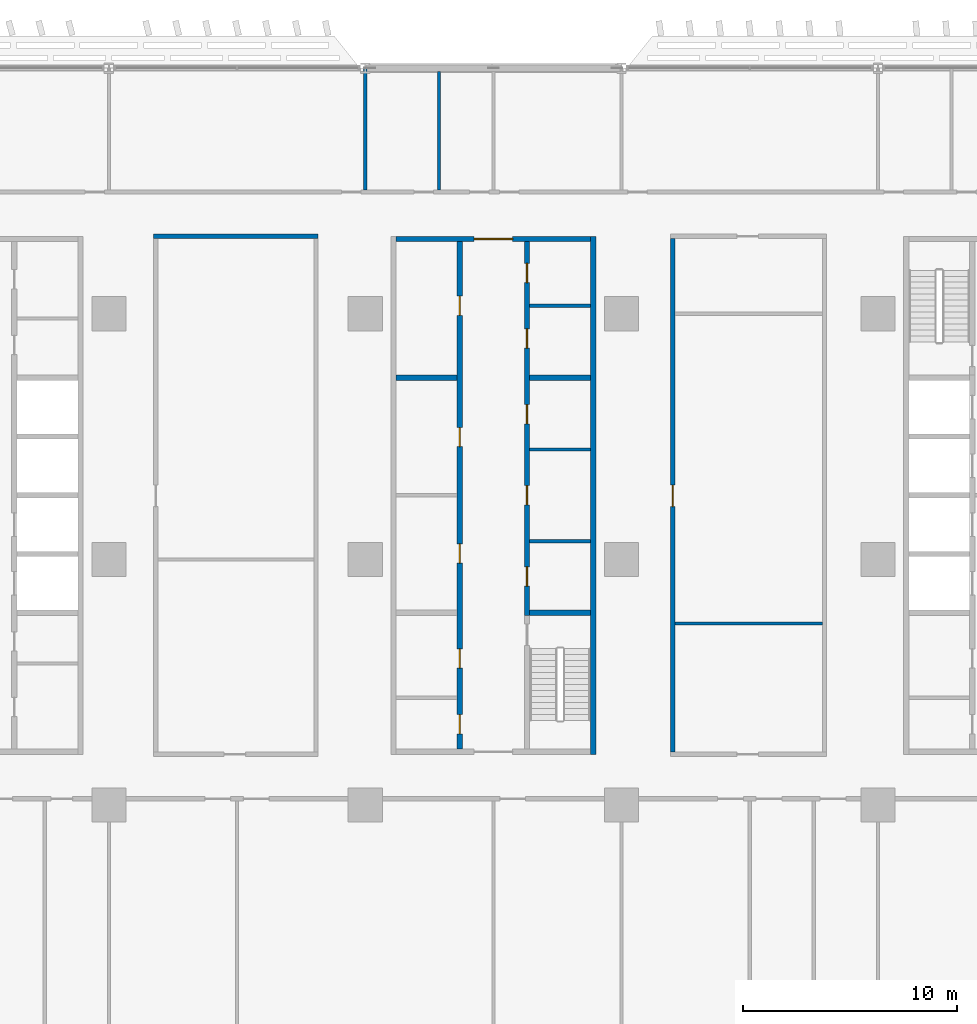
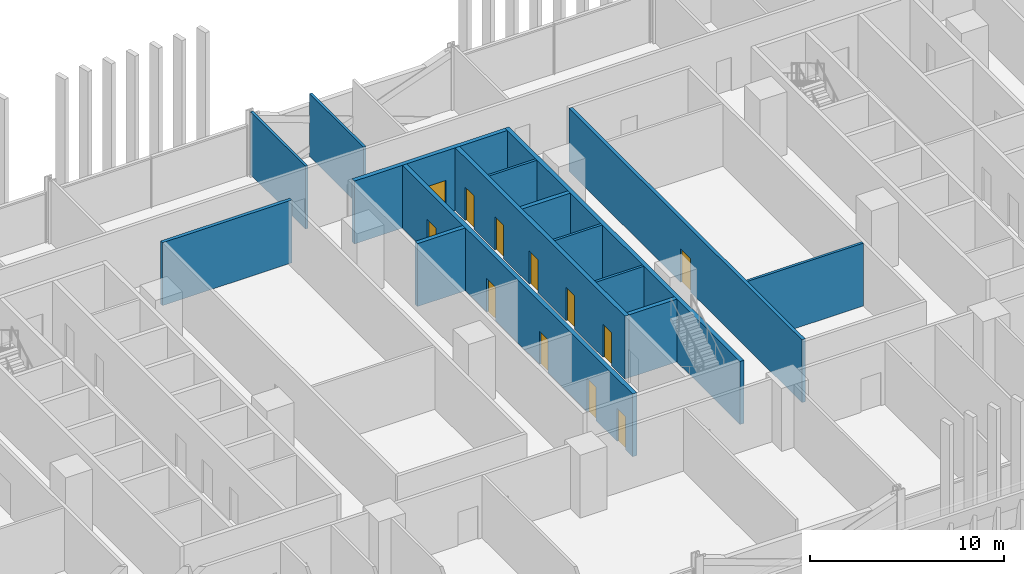
# One storey, part 12 of 31: 15 walls, 12 doors, 12 openings.
"""IFC4 building model written with IfcOpenShell, lengths in metres."""

from ifc_helpers import new_model, si_unit, direction, frame, frame_2d, origin, place, context, subcontext, project, spatial, rectangle, extrude, material, layer, layer_set, type_object, element, fill, save


model = new_model("IFC4")

# Units and contexts
model_context = context("Model", 3, precision=1e-05, world=origin(), true_north=direction((0.0, 1.0)))
body_context = subcontext(model_context, "Body", "Model", "MODEL_VIEW")
ifc_project = project(units=[si_unit("LENGTHUNIT", "METRE"), si_unit("AREAUNIT", "SQUARE_METRE"), si_unit("VOLUMEUNIT", "CUBIC_METRE"), si_unit("PLANEANGLEUNIT", "RADIAN"), si_unit("MASSUNIT", "GRAM", prefix="KILO")], contexts=[model_context])

# Site, building, storey
site_placement = place(None, origin())
site = spatial("IfcSite", under=ifc_project, at=site_placement, CompositionType="ELEMENT")
building_placement = place(site_placement, origin())
building = spatial("IfcBuilding", under=site, at=building_placement, Name="Mahtab Terrace Research Tower", CompositionType="ELEMENT")
storey_placement = place(building_placement, frame((0.0, 0.0, 11.5)))
storey = spatial("IfcBuildingStorey", under=building, at=storey_placement, Name="L02", CompositionType="ELEMENT", Elevation=11.5)

# Walls
ifc_material_1 = material(Name="Gypsum board partition")
ifc_layer_1 = layer(ifc_material_1, 0.14990234375)
ifc_layer_set_1 = layer_set([ifc_layer_1], Name="Core partition 150")
wall_type_1 = type_object("IfcWallType", Name="Core partition 150", PredefinedType="PARTITIONING", material=ifc_layer_set_1)
for number, where, z_axis, x_axis, name in (
    (1, (1.699951171875, 0.85009765625, 0.0), (0.0, 0.0, 1.0), (1.0, 0.0, 0.0), "Core wall B pEL-215"),
    (2, (1.699951171875, 5.14990234375, 0.0), (0.0, 0.0, 1.0), (1.0, 0.0, 0.0), "Core wall B pEL215"),
    (3, (1.699951171875, 11.875, 0.0), (0.0, 0.0, 1.0), (1.0, 0.0, 0.0), "Core wall B pEN888"),
):
    element("IfcWall", number, at=place(storey_placement, frame(where, z_axis=z_axis, x_axis=x_axis)), inside=storey, type_object=wall_type_1, Name=name, PredefinedType="PARTITIONING", context=body_context, shape_type="SweptSolid", body=[
        extrude(rectangle(XDim=2.85009765625, YDim=0.14990234375, at=frame_2d((1.425048828125, 0.0))), origin(), (0.0, 0.0, 1.0), 3.9599609375),
    ])
ifc_material_2 = material(Name="Concrete C70/85", Category="concrete")
ifc_layer_2 = layer(ifc_material_2, 0.25)
ifc_layer_set_2 = layer_set([ifc_layer_2], Name="Core wall 250")
wall_type_2 = type_object("IfcWallType", Name="Core wall 250", PredefinedType="SOLIDWALL", material=ifc_layer_set_2)
wall_1_placement = place(storey_placement, frame((4.675048828125, -9.125, 0.0), z_axis=(0.0, 0.0, 1.0), x_axis=(0.0, 1.0, 0.0)))
element("IfcWall", 4, at=wall_1_placement, inside=storey, type_object=wall_type_2, Name="Core wall B outerE", PredefinedType="SOLIDWALL", context=body_context, shape_type="SweptSolid", body=[
    extrude(rectangle(XDim=24.25, YDim=0.25, at=frame_2d((12.125, 0.0))), origin(), (0.0, 0.0, 1.0), 3.9599609375),
])

# Wall, opening, door
wall_2_placement = place(storey_placement, frame((-4.550048828125, 15.0, 0.0), z_axis=(0.0, 0.0, 1.0), x_axis=(1.0, 0.0, 0.0)))
wall_2 = element("IfcWall", 5, at=wall_2_placement, inside=storey, type_object=wall_type_2, Name="Core wall B endN", PredefinedType="SOLIDWALL", context=body_context, shape_type="SweptSolid", body=[
    extrude(rectangle(XDim=9.10009765625, YDim=0.25, at=frame_2d((4.550048828125, 0.0))), origin(), (0.0, 0.0, 1.0), 3.9599609375),
])
opening_1_placement = place(wall_2_placement, frame((3.64990234375, 0.0, 0.0)))
opening_1 = element("IfcOpeningElement", 6, at=opening_1_placement, cuts=wall_2, Name="Opening B-N1", PredefinedType="OPENING", context=body_context, shape_type="SweptSolid", body=[
    extrude(rectangle(XDim=1.800048828125, YDim=2.10009765625, at=frame_2d((0.89990234375, 1.050048828125))), frame((0.0, 0.135009765625, 0.0), z_axis=(0.0, -1.0, 0.0), x_axis=(1.0, 0.0, 0.0)), (0.0, 0.0, 1.0), 0.27001953125),
])
ifc_material_3 = material(Name="Steel fire door", Category="steel")
door_type_1 = type_object("IfcDoorType", Name="Lobby double door 1800x2100 1 HR", OperationType="DOUBLE_DOOR_SINGLE_SWING", PredefinedType="DOOR", material=ifc_material_3)
door_1_placement = place(opening_1_placement, origin())
door_1 = element("IfcDoor", 7, at=door_1_placement, inside=storey, type_object=door_type_1, Name="Core entrance door B N", OperationType="DOUBLE_DOOR_SINGLE_SWING", OverallHeight=2.10009765625, OverallWidth=1.800048828125, PredefinedType="DOOR", context=body_context, shape_type="SweptSolid", body=[
    extrude(rectangle(XDim=1.800048828125, YDim=2.10009765625, at=frame_2d((0.89990234375, 1.050048828125))), frame((0.0, 0.02490234375, 0.0), z_axis=(0.0, -1.0, 0.0), x_axis=(1.0, 0.0, 0.0)), (0.0, 0.0, 1.0), 0.050048828125),
])
fill(opening_1, door_1)

# Wall, openings, doors
wall_3_placement = place(storey_placement, frame((-1.574951171875, -8.875, 0.0), z_axis=(0.0, 0.0, 1.0), x_axis=(0.0, 1.0, 0.0)))
wall_3 = element("IfcWall", 8, at=wall_3_placement, inside=storey, type_object=wall_type_2, Name="Core wall B innerWSLN", PredefinedType="SOLIDWALL", context=body_context, shape_type="SweptSolid", body=[
    extrude(rectangle(XDim=23.75, YDim=0.25, at=frame_2d((11.875, 0.0))), origin(), (0.0, 0.0, 1.0), 3.9599609375),
])
opening_2_placement = place(wall_3_placement, frame((8.699951171875, 0.0, 0.0)))
opening_2 = element("IfcOpeningElement", 9, at=opening_2_placement, cuts=wall_3, Name="Opening B-R1", PredefinedType="OPENING", context=body_context, shape_type="SweptSolid", body=[
    extrude(rectangle(XDim=0.89990234375, YDim=2.10009765625, at=frame_2d((0.449951171875, 1.050048828125))), frame((0.0, 0.135009765625, 0.0), z_axis=(0.0, -1.0, 0.0), x_axis=(1.0, 0.0, 0.0)), (0.0, 0.0, 1.0), 0.27001953125),
])
opening_3_placement = place(wall_3_placement, frame((14.14990234375, 0.0, 0.0)))
opening_3 = element("IfcOpeningElement", 10, at=opening_3_placement, cuts=wall_3, Name="Opening B-R2", PredefinedType="OPENING", context=body_context, shape_type="SweptSolid", body=[
    extrude(rectangle(XDim=0.89990234375, YDim=2.10009765625, at=frame_2d((0.449951171875, 1.050048828125))), frame((0.0, 0.135009765625, 0.0), z_axis=(0.0, -1.0, 0.0), x_axis=(1.0, 0.0, 0.0)), (0.0, 0.0, 1.0), 0.27001953125),
])
opening_4_placement = place(wall_3_placement, frame((0.71240234375, 0.0, 0.0)))
opening_4 = element("IfcOpeningElement", 11, at=opening_4_placement, cuts=wall_3, Name="Opening B-R6", PredefinedType="OPENING", context=body_context, shape_type="SweptSolid", body=[
    extrude(rectangle(XDim=0.89990234375, YDim=2.10009765625, at=frame_2d((0.449951171875, 1.050048828125))), frame((0.0, 0.135009765625, 0.0), z_axis=(0.0, -1.0, 0.0), x_axis=(1.0, 0.0, 0.0)), (0.0, 0.0, 1.0), 0.27001953125),
])
opening_5_placement = place(wall_3_placement, frame((3.78759765625, 0.0, 0.0)))
opening_5 = element("IfcOpeningElement", 12, at=opening_5_placement, cuts=wall_3, Name="Opening B-R7", PredefinedType="OPENING", context=body_context, shape_type="SweptSolid", body=[
    extrude(rectangle(XDim=0.89990234375, YDim=2.10009765625, at=frame_2d((0.449951171875, 1.050048828125))), frame((0.0, 0.135009765625, 0.0), z_axis=(0.0, -1.0, 0.0), x_axis=(1.0, 0.0, 0.0)), (0.0, 0.0, 1.0), 0.27001953125),
])
opening_6_placement = place(wall_3_placement, frame((20.300048828125, 0.0, 0.0)))
opening_6 = element("IfcOpeningElement", 13, at=opening_6_placement, cuts=wall_3, Name="Opening B-R8", PredefinedType="OPENING", context=body_context, shape_type="SweptSolid", body=[
    extrude(rectangle(XDim=0.89990234375, YDim=2.10009765625, at=frame_2d((0.449951171875, 1.050048828125))), frame((0.0, 0.135009765625, 0.0), z_axis=(0.0, -1.0, 0.0), x_axis=(1.0, 0.0, 0.0)), (0.0, 0.0, 1.0), 0.27001953125),
])
door_type_2 = type_object("IfcDoorType", Name="Room door 900x2100 1 HR", OperationType="NOTDEFINED", PredefinedType="DOOR", material=ifc_material_3)
door_2_placement = place(opening_2_placement, origin())
door_2 = element("IfcDoor", 14, at=door_2_placement, inside=storey, type_object=door_type_2, Name="Document store door", OperationType="SINGLE_SWING_LEFT", OverallHeight=2.10009765625, OverallWidth=0.89990234375, PredefinedType="DOOR", context=body_context, shape_type="SweptSolid", body=[
    extrude(rectangle(XDim=0.89990234375, YDim=2.10009765625, at=frame_2d((0.449951171875, 1.050048828125))), frame((0.0, 0.02490234375, 0.0), z_axis=(0.0, -1.0, 0.0), x_axis=(1.0, 0.0, 0.0)), (0.0, 0.0, 1.0), 0.050048828125),
])
fill(opening_2, door_2)
door_3_placement = place(opening_3_placement, origin())
door_3 = element("IfcDoor", 15, at=door_3_placement, inside=storey, type_object=door_type_2, Name="IT equipment room door", OperationType="SINGLE_SWING_RIGHT", OverallHeight=2.10009765625, OverallWidth=0.89990234375, PredefinedType="DOOR", context=body_context, shape_type="SweptSolid", body=[
    extrude(rectangle(XDim=0.89990234375, YDim=2.10009765625, at=frame_2d((0.449951171875, 1.050048828125))), frame((0.0, 0.02490234375, 0.0), z_axis=(0.0, -1.0, 0.0), x_axis=(1.0, 0.0, 0.0)), (0.0, 0.0, 1.0), 0.050048828125),
])
fill(opening_3, door_3)
door_4_placement = place(opening_4_placement, origin())
door_4 = element("IfcDoor", 16, at=door_4_placement, inside=storey, type_object=door_type_2, Name="Mechanical riser room door", OperationType="SINGLE_SWING_RIGHT", OverallHeight=2.10009765625, OverallWidth=0.89990234375, PredefinedType="DOOR", context=body_context, shape_type="SweptSolid", body=[
    extrude(rectangle(XDim=0.89990234375, YDim=2.10009765625, at=frame_2d((0.449951171875, 1.050048828125))), frame((0.0, 0.02490234375, 0.0), z_axis=(0.0, -1.0, 0.0), x_axis=(1.0, 0.0, 0.0)), (0.0, 0.0, 1.0), 0.050048828125),
])
fill(opening_4, door_4)
door_5_placement = place(opening_5_placement, origin())
door_5 = element("IfcDoor", 17, at=door_5_placement, inside=storey, type_object=door_type_2, Name="Chemical store door", OperationType="SINGLE_SWING_LEFT", OverallHeight=2.10009765625, OverallWidth=0.89990234375, PredefinedType="DOOR", context=body_context, shape_type="SweptSolid", body=[
    extrude(rectangle(XDim=0.89990234375, YDim=2.10009765625, at=frame_2d((0.449951171875, 1.050048828125))), frame((0.0, 0.02490234375, 0.0), z_axis=(0.0, -1.0, 0.0), x_axis=(1.0, 0.0, 0.0)), (0.0, 0.0, 1.0), 0.050048828125),
])
fill(opening_5, door_5)
door_6_placement = place(opening_6_placement, origin())
door_6 = element("IfcDoor", 18, at=door_6_placement, inside=storey, type_object=door_type_2, Name="Gas cylinder store door", OperationType="SINGLE_SWING_RIGHT", OverallHeight=2.10009765625, OverallWidth=0.89990234375, PredefinedType="DOOR", context=body_context, shape_type="SweptSolid", body=[
    extrude(rectangle(XDim=0.89990234375, YDim=2.10009765625, at=frame_2d((0.449951171875, 1.050048828125))), frame((0.0, 0.02490234375, 0.0), z_axis=(0.0, -1.0, 0.0), x_axis=(1.0, 0.0, 0.0)), (0.0, 0.0, 1.0), 0.050048828125),
])
fill(opening_6, door_6)

wall_4_placement = place(storey_placement, frame((1.574951171875, 14.875, 0.0), z_axis=(0.0, 0.0, 1.0), x_axis=(0.0, -1.0, 0.0)))
wall_4 = element("IfcWall", 19, at=wall_4_placement, inside=storey, type_object=wall_type_2, Name="Core wall B innerELN", PredefinedType="SOLIDWALL", context=body_context, shape_type="SweptSolid", body=[
    extrude(rectangle(XDim=17.5, YDim=0.25, at=frame_2d((8.75, 0.0))), origin(), (0.0, 0.0, 1.0), 3.9599609375),
])
opening_7_placement = place(wall_4_placement, frame((15.22509765625, 0.0, 0.0)))
opening_7 = element("IfcOpeningElement", 20, at=opening_7_placement, cuts=wall_4, Name="Opening B-R3", PredefinedType="OPENING", context=body_context, shape_type="SweptSolid", body=[
    extrude(rectangle(XDim=0.89990234375, YDim=2.10009765625, at=frame_2d((0.449951171875, 1.050048828125))), frame((0.0, 0.135009765625, 0.0), z_axis=(0.0, -1.0, 0.0), x_axis=(1.0, 0.0, 0.0)), (0.0, 0.0, 1.0), 0.27001953125),
])
opening_8_placement = place(wall_4_placement, frame((11.425048828125, 0.0, 0.0)))
opening_8 = element("IfcOpeningElement", 21, at=opening_8_placement, cuts=wall_4, Name="Opening B-R4", PredefinedType="OPENING", context=body_context, shape_type="SweptSolid", body=[
    extrude(rectangle(XDim=0.89990234375, YDim=2.10009765625, at=frame_2d((0.449951171875, 1.050048828125))), frame((0.0, 0.135009765625, 0.0), z_axis=(0.0, -1.0, 0.0), x_axis=(1.0, 0.0, 0.0)), (0.0, 0.0, 1.0), 0.27001953125),
])
opening_9_placement = place(wall_4_placement, frame((7.625, 0.0, 0.0)))
opening_9 = element("IfcOpeningElement", 22, at=opening_9_placement, cuts=wall_4, Name="Opening B-R5", PredefinedType="OPENING", context=body_context, shape_type="SweptSolid", body=[
    extrude(rectangle(XDim=0.89990234375, YDim=2.10009765625, at=frame_2d((0.449951171875, 1.050048828125))), frame((0.0, 0.135009765625, 0.0), z_axis=(0.0, -1.0, 0.0), x_axis=(1.0, 0.0, 0.0)), (0.0, 0.0, 1.0), 0.27001953125),
])
opening_10_placement = place(wall_4_placement, frame((4.08740234375, 0.0, 0.0)))
opening_10 = element("IfcOpeningElement", 23, at=opening_10_placement, cuts=wall_4, Name="Opening B-R9", PredefinedType="OPENING", context=body_context, shape_type="SweptSolid", body=[
    extrude(rectangle(XDim=0.89990234375, YDim=2.10009765625, at=frame_2d((0.449951171875, 1.050048828125))), frame((0.0, 0.135009765625, 0.0), z_axis=(0.0, -1.0, 0.0), x_axis=(1.0, 0.0, 0.0)), (0.0, 0.0, 1.0), 0.27001953125),
])
opening_11_placement = place(wall_4_placement, frame((1.012451171875, 0.0, 0.0)))
opening_11 = element("IfcOpeningElement", 24, at=opening_11_placement, cuts=wall_4, Name="Opening B-R10", PredefinedType="OPENING", context=body_context, shape_type="SweptSolid", body=[
    extrude(rectangle(XDim=0.89990234375, YDim=2.10009765625, at=frame_2d((0.449951171875, 1.050048828125))), frame((0.0, 0.135009765625, 0.0), z_axis=(0.0, -1.0, 0.0), x_axis=(1.0, 0.0, 0.0)), (0.0, 0.0, 1.0), 0.27001953125),
])
door_7_placement = place(opening_7_placement, origin())
door_7 = element("IfcDoor", 25, at=door_7_placement, inside=storey, type_object=door_type_2, Name="Electrical room door", OperationType="SINGLE_SWING_LEFT", OverallHeight=2.10009765625, OverallWidth=0.89990234375, PredefinedType="DOOR", context=body_context, shape_type="SweptSolid", body=[
    extrude(rectangle(XDim=0.89990234375, YDim=2.10009765625, at=frame_2d((0.449951171875, 1.050048828125))), frame((0.0, 0.02490234375, 0.0), z_axis=(0.0, -1.0, 0.0), x_axis=(1.0, 0.0, 0.0)), (0.0, 0.0, 1.0), 0.050048828125),
])
fill(opening_7, door_7)
door_8_placement = place(opening_8_placement, origin())
door_8 = element("IfcDoor", 26, at=door_8_placement, inside=storey, type_object=door_type_2, Name="Pantry door", OperationType="SINGLE_SWING_RIGHT", OverallHeight=2.10009765625, OverallWidth=0.89990234375, PredefinedType="DOOR", context=body_context, shape_type="SweptSolid", body=[
    extrude(rectangle(XDim=0.89990234375, YDim=2.10009765625, at=frame_2d((0.449951171875, 1.050048828125))), frame((0.0, 0.02490234375, 0.0), z_axis=(0.0, -1.0, 0.0), x_axis=(1.0, 0.0, 0.0)), (0.0, 0.0, 1.0), 0.050048828125),
])
fill(opening_8, door_8)
door_9_placement = place(opening_9_placement, origin())
door_9 = element("IfcDoor", 27, at=door_9_placement, inside=storey, type_object=door_type_2, Name="Housekeeping store door", OperationType="SINGLE_SWING_LEFT", OverallHeight=2.10009765625, OverallWidth=0.89990234375, PredefinedType="DOOR", context=body_context, shape_type="SweptSolid", body=[
    extrude(rectangle(XDim=0.89990234375, YDim=2.10009765625, at=frame_2d((0.449951171875, 1.050048828125))), frame((0.0, 0.02490234375, 0.0), z_axis=(0.0, -1.0, 0.0), x_axis=(1.0, 0.0, 0.0)), (0.0, 0.0, 1.0), 0.050048828125),
])
fill(opening_9, door_9)
door_10_placement = place(opening_10_placement, origin())
door_10 = element("IfcDoor", 28, at=door_10_placement, inside=storey, type_object=door_type_2, Name="Staff WC door", OperationType="SINGLE_SWING_LEFT", OverallHeight=2.10009765625, OverallWidth=0.89990234375, PredefinedType="DOOR", context=body_context, shape_type="SweptSolid", body=[
    extrude(rectangle(XDim=0.89990234375, YDim=2.10009765625, at=frame_2d((0.449951171875, 1.050048828125))), frame((0.0, 0.02490234375, 0.0), z_axis=(0.0, -1.0, 0.0), x_axis=(1.0, 0.0, 0.0)), (0.0, 0.0, 1.0), 0.050048828125),
])
fill(opening_10, door_10)
door_11_placement = place(opening_11_placement, origin())
door_11 = element("IfcDoor", 29, at=door_11_placement, inside=storey, type_object=door_type_2, Name="Accessible WC door", OperationType="SINGLE_SWING_RIGHT", OverallHeight=2.10009765625, OverallWidth=0.89990234375, PredefinedType="DOOR", context=body_context, shape_type="SweptSolid", body=[
    extrude(rectangle(XDim=0.89990234375, YDim=2.10009765625, at=frame_2d((0.449951171875, 1.050048828125))), frame((0.0, 0.02490234375, 0.0), z_axis=(0.0, -1.0, 0.0), x_axis=(1.0, 0.0, 0.0)), (0.0, 0.0, 1.0), 0.050048828125),
])
fill(opening_11, door_11)

# Walls
for number, where, z_axis, x_axis, name in (
    (30, (-4.550048828125, 8.5, 0.0), (0.0, 0.0, 1.0), (1.0, 0.0, 0.0), "Core wall B divW4"),
    (31, (1.699951171875, -2.5, 0.0), (0.0, 0.0, 1.0), (1.0, 0.0, 0.0), "Core wall B divE0"),
    (32, (1.699951171875, 8.5, 0.0), (0.0, 0.0, 1.0), (1.0, 0.0, 0.0), "Core wall B divE4"),
):
    element("IfcWall", number, at=place(storey_placement, frame(where, z_axis=z_axis, x_axis=x_axis)), inside=storey, type_object=wall_type_2, Name=name, PredefinedType="SOLIDWALL", context=body_context, shape_type="SweptSolid", body=[
        extrude(rectangle(XDim=2.85009765625, YDim=0.25, at=frame_2d((1.425048828125, 0.0))), origin(), (0.0, 0.0, 1.0), 3.9599609375),
    ])
ifc_material_4 = material(Name="Gypsum board corridor wall on steel studs", Category="steel")
ifc_layer_3 = layer(ifc_material_4, 0.199951171875)
ifc_layer_set_3 = layer_set([ifc_layer_3], Name="WALL CORRIDOR 200")
wall_type_3 = type_object("IfcWallType", Name="WALL CORRIDOR 200", PredefinedType="PARTITIONING", material=ifc_layer_set_3)
wall_5_placement = place(storey_placement, frame((-15.89990234375, 15.125, 0.0), z_axis=(0.0, 0.0, 1.0), x_axis=(1.0, 0.0, 0.0)))
element("IfcWall", 33, at=wall_5_placement, inside=storey, type_object=wall_type_3, Name="L02-W023", PredefinedType="PARTITIONING", context=body_context, shape_type="SweptSolid", body=[
    extrude(rectangle(XDim=7.699951171875, YDim=0.199951171875, at=frame_2d((3.85009765625, 0.0))), origin(), (0.0, 0.0, 1.0), 3.9599609375),
])

# Wall, opening, door
wall_6_placement = place(storey_placement, frame((8.39990234375, -9.02490234375, 0.0), z_axis=(0.0, 0.0, 1.0), x_axis=(0.0, 1.0, 0.0)))
wall_6 = element("IfcWall", 34, at=wall_6_placement, inside=storey, type_object=wall_type_3, Name="L02-W049", PredefinedType="PARTITIONING", context=body_context, shape_type="SweptSolid", body=[
    extrude(rectangle(XDim=24.0498046875, YDim=0.199951171875, at=frame_2d((12.02490234375, 0.0))), origin(), (0.0, 0.0, 1.0), 3.9599609375),
])
opening_12_placement = place(wall_6_placement, frame((11.5, 0.0, 0.0)))
opening_12 = element("IfcOpeningElement", 35, at=opening_12_placement, cuts=wall_6, Name="Opening L02-124", PredefinedType="OPENING", context=body_context, shape_type="SweptSolid", body=[
    extrude(rectangle(XDim=1.0, YDim=2.10009765625, at=frame_2d((0.5, 1.050048828125))), frame((0.0, 0.10986328125, 0.0), z_axis=(0.0, -1.0, 0.0), x_axis=(1.0, 0.0, 0.0)), (0.0, 0.0, 1.0), 0.219970703125),
])
ifc_material_5 = material(Name="Timber door leaf in steel frame", Category="steel")
door_type_3 = type_object("IfcDoorType", Name="DOOR 1000X2100 FD30S", OperationType="SINGLE_SWING_LEFT", PredefinedType="DOOR", material=ifc_material_5)
door_12_placement = place(opening_12_placement, origin())
door_12 = element("IfcDoor", 36, at=door_12_placement, inside=storey, type_object=door_type_3, Name="Door L02-124", OperationType="SINGLE_SWING_RIGHT", OverallHeight=2.10009765625, OverallWidth=1.0, PredefinedType="DOOR", context=body_context, shape_type="SweptSolid", body=[
    extrude(rectangle(XDim=1.0, YDim=2.10009765625, at=frame_2d((0.5, 1.050048828125))), frame((0.0, 0.02490234375, 0.0), z_axis=(0.0, -1.0, 0.0), x_axis=(1.0, 0.0, 0.0)), (0.0, 0.0, 1.0), 0.050048828125),
])
fill(opening_12, door_12)

# Walls
ifc_material_6 = material(Name="Gypsum board partition on steel studs", Category="steel")
ifc_layer_4 = layer(ifc_material_6, 0.14990234375)
ifc_layer_set_4 = layer_set([ifc_layer_4], Name="WALL PARTITION 150")
wall_type_4 = type_object("IfcWallType", Name="WALL PARTITION 150", PredefinedType="PARTITIONING", material=ifc_layer_set_4)
wall_7_placement = place(storey_placement, frame((8.5, -3.0, 0.0), z_axis=(0.0, 0.0, 1.0), x_axis=(1.0, 0.0, 0.0)))
element("IfcWall", 37, at=wall_7_placement, inside=storey, type_object=wall_type_4, Name="L02-W015", PredefinedType="PARTITIONING", context=body_context, shape_type="SweptSolid", body=[
    extrude(rectangle(XDim=6.89990234375, YDim=0.14990234375, at=frame_2d((3.449951171875, 0.0))), origin(), (0.0, 0.0, 1.0), 3.9599609375),
])
wall_8_placement = place(storey_placement, frame((-6.0, 17.300048828125, 0.0), z_axis=(0.0, 0.0, 1.0), x_axis=(0.0, 1.0, 0.0)))
element("IfcWall", 38, at=wall_8_placement, inside=storey, type_object=wall_type_4, Name="L02-W043", PredefinedType="PARTITIONING", context=body_context, shape_type="SweptSolid", body=[
    extrude(rectangle(XDim=5.675048828125, YDim=0.14990234375, at=frame_2d((2.83740234375, 0.0))), origin(), (0.0, 0.0, 1.0), 3.9599609375),
])
wall_9_placement = place(storey_placement, frame((-2.550048828125, 17.300048828125, 0.0), z_axis=(0.0, 0.0, 1.0), x_axis=(0.0, 1.0, 0.0)))
element("IfcWall", 39, at=wall_9_placement, inside=storey, type_object=wall_type_4, Name="L02-W044", PredefinedType="PARTITIONING", context=body_context, shape_type="SweptSolid", body=[
    extrude(rectangle(XDim=5.550048828125, YDim=0.14990234375, at=frame_2d((2.77490234375, 0.0))), origin(), (0.0, 0.0, 1.0), 3.9599609375),
])

save(model, "model.ifc")
